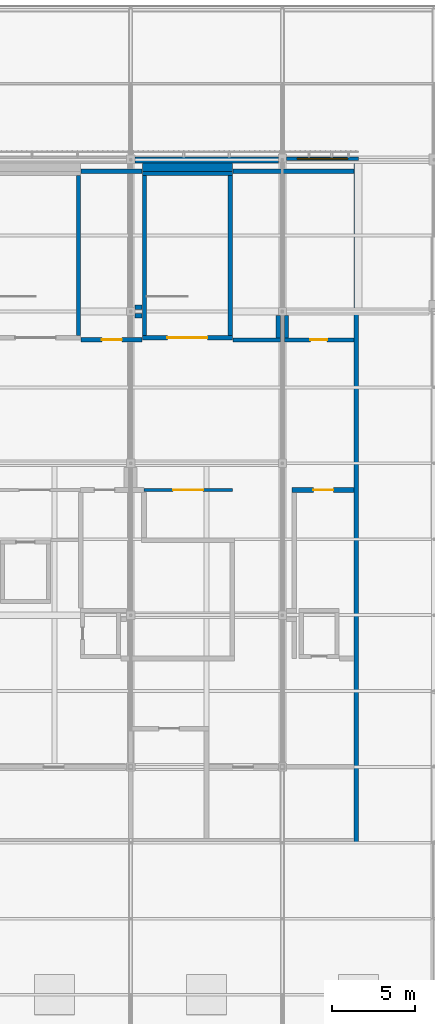
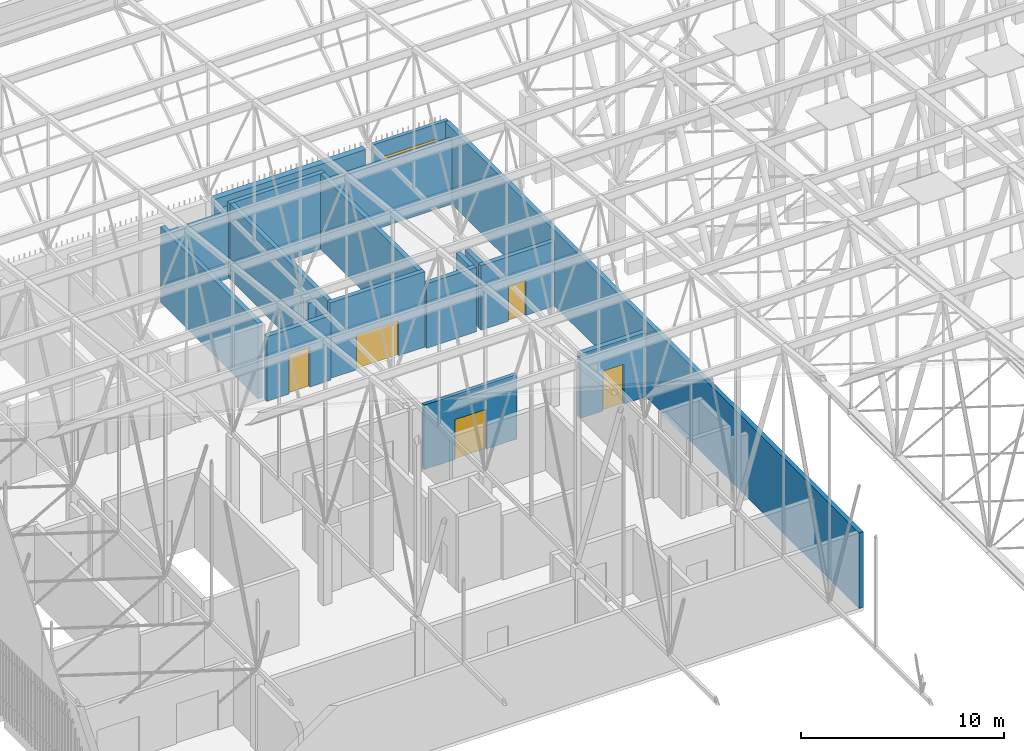
# One storey, part 431 of 500: 20 walls, 5 doors, 1 window, 6 openings.
"""IFC4 building model written with IfcOpenShell, lengths in metres."""

from ifc_helpers import new_model, si_unit, direction, frame, frame_2d, origin, place, context, subcontext, project, spatial, rectangle, extrude, material, layer, layer_set, type_object, element, fill, save


model = new_model("IFC4")

# Units and contexts
model_context = context("Model", 3, precision=1e-05, world=origin(), true_north=direction((0.0, 1.0)))
body_context = subcontext(model_context, "Body", "Model", "MODEL_VIEW")
ifc_project = project(units=[si_unit("LENGTHUNIT", "METRE"), si_unit("AREAUNIT", "SQUARE_METRE"), si_unit("VOLUMEUNIT", "CUBIC_METRE"), si_unit("PLANEANGLEUNIT", "RADIAN"), si_unit("MASSUNIT", "GRAM", prefix="KILO")], contexts=[model_context])

# Site, building, storey
site_placement = place(None, origin())
site = spatial("IfcSite", under=ifc_project, at=site_placement, CompositionType="ELEMENT")
building_placement = place(site_placement, origin())
building = spatial("IfcBuilding", under=site, at=building_placement, Name="Shirokan Park Arena", CompositionType="ELEMENT")
storey_placement = place(building_placement, frame((0.0, 0.0, 29.1201171875)))
storey = spatial("IfcBuildingStorey", under=building, at=storey_placement, Name="L06", CompositionType="ELEMENT", Elevation=29.1201171875)

# Walls
ifc_material_1 = material(Name="Plaster")
ifc_layer_1 = layer(ifc_material_1, 0.014892578125, Name="Plaster")
ifc_material_2 = material(Name="Concrete blockwork", Category="masonry")
ifc_layer_2 = layer(ifc_material_2, 0.219970703125, Name="Concrete blockwork 220")
ifc_layer_3 = layer(ifc_material_1, 0.014892578125, Name="Plaster")
ifc_layer_set_1 = layer_set([ifc_layer_1, ifc_layer_2, ifc_layer_3], Name="Plaster + Concrete blockwork 220")
wall_type_1 = type_object("IfcWallType", Name="Compartment wall 250", PredefinedType="SOLIDWALL", material=ifc_layer_set_1)
wall_1_placement = place(storey_placement, frame((33.429931640625, 98.39990234375, 0.0), z_axis=(0.0, 0.0, 1.0), x_axis=(1.0, 0.0, 0.0)))
element("IfcWall", 1, at=wall_1_placement, inside=storey, type_object=wall_type_1, Name="Compartment wall 250 L06", PredefinedType="SOLIDWALL", context=body_context, shape_type="SweptSolid", body=[
    extrude(rectangle(XDim=2.844970703125, YDim=0.25, at=frame_2d((1.42236328125, 0.0))), origin(), (0.0, 0.0, 1.0), 3.8798828125),
])
wall_2_placement = place(storey_placement, frame((33.429931640625, 108.5, 0.0), z_axis=(0.0, 0.0, 1.0), x_axis=(1.0, 0.0, 0.0)))
element("IfcWall", 2, at=wall_2_placement, inside=storey, type_object=wall_type_1, Name="Compartment wall 250 L06", PredefinedType="SOLIDWALL", context=body_context, shape_type="SweptSolid", body=[
    extrude(rectangle(XDim=7.27001953125, YDim=0.25, at=frame_2d((3.635009765625, 0.0))), origin(), (0.0, 0.0, 1.0), 3.8798828125),
])
wall_3_placement = place(storey_placement, frame((36.14990234375, 98.52490234375, 0.0), z_axis=(0.0, 0.0, 1.0), x_axis=(0.0, 1.0, 0.0)))
element("IfcWall", 3, at=wall_3_placement, inside=storey, type_object=wall_type_1, Name="Compartment wall 250 L06", PredefinedType="SOLIDWALL", context=body_context, shape_type="SweptSolid", body=[
    extrude(rectangle(XDim=1.3251953125, YDim=0.25, at=frame_2d((0.66259765625, 0.0))), origin(), (0.0, 0.0, 1.0), 3.8798828125),
])

# Wall, opening, door
wall_4_placement = place(storey_placement, frame((36.52490234375, 98.39990234375, 0.0), z_axis=(0.0, 0.0, 1.0), x_axis=(1.0, 0.0, 0.0)))
wall_4 = element("IfcWall", 4, at=wall_4_placement, inside=storey, type_object=wall_type_1, Name="Compartment wall 250 L06", PredefinedType="SOLIDWALL", context=body_context, shape_type="SweptSolid", body=[
    extrude(rectangle(XDim=4.175048828125, YDim=0.25, at=frame_2d((2.08740234375, 0.0))), origin(), (0.0, 0.0, 1.0), 3.8798828125),
])
opening_1_placement = place(wall_4_placement, frame((1.550048828125, 0.0, 0.0)))
opening_1 = element("IfcOpeningElement", 5, at=opening_1_placement, cuts=wall_4, Name="Opening D-6038", PredefinedType="OPENING", context=body_context, shape_type="SweptSolid", body=[
    extrude(rectangle(XDim=1.0, YDim=2.10009765625, at=frame_2d((0.5, 1.050048828125))), frame((0.0, 0.135009765625, 0.0), z_axis=(0.0, -1.0, 0.0), x_axis=(1.0, 0.0, 0.0)), (0.0, 0.0, 1.0), 0.27001953125),
])
ifc_material_3 = material(Name="Timber door set, fire resisting", Category="wood")
door_type_1 = type_object("IfcDoorType", Name="Door 1000 x 2100", OperationType="SINGLE_SWING_LEFT", PredefinedType="DOOR", material=ifc_material_3)
door_1_placement = place(opening_1_placement, origin())
door_1 = element("IfcDoor", 6, at=door_1_placement, inside=storey, type_object=door_type_1, Name="Door to Maintenance Equipment Store 6.43 D-6038", OperationType="SINGLE_SWING_RIGHT", OverallHeight=2.10009765625, OverallWidth=1.0, PredefinedType="DOOR", context=body_context, shape_type="SweptSolid", body=[
    extrude(rectangle(XDim=1.0, YDim=2.10009765625, at=frame_2d((0.5, 1.050048828125))), frame((0.0, 0.02490234375, 0.0), z_axis=(0.0, -1.0, 0.0), x_axis=(1.0, 0.0, 0.0)), (0.0, 0.0, 1.0), 0.050048828125),
])
fill(opening_1, door_1)

# Wall
wall_5_placement = place(storey_placement, frame((36.64990234375, 99.85009765625, 0.0), z_axis=(0.0, 0.0, 1.0), x_axis=(0.0, -1.0, 0.0)))
element("IfcWall", 7, at=wall_5_placement, inside=storey, type_object=wall_type_1, Name="Compartment wall 250 L06", PredefinedType="SOLIDWALL", context=body_context, shape_type="SweptSolid", body=[
    extrude(rectangle(XDim=1.3251953125, YDim=0.25, at=frame_2d((0.66259765625, 0.0))), origin(), (0.0, 0.0, 1.0), 3.8798828125),
])

# Wall, opening, door
ifc_material_4 = material(Name="Gypsum board")
ifc_layer_4 = layer(ifc_material_4, 0.02490234375, Name="Gypsum board, two layers")
ifc_material_5 = material(Name="Mineral wool insulation")
ifc_layer_5 = layer(ifc_material_5, 0.14990234375, Name="Mineral wool insulation")
ifc_layer_6 = layer(ifc_material_4, 0.02490234375, Name="Gypsum board, two layers")
ifc_layer_set_2 = layer_set([ifc_layer_4, ifc_layer_5, ifc_layer_6], Name="Gypsum board, two layers + Mineral wool insulation")
wall_type_2 = type_object("IfcWallType", Name="Corridor wall 200", PredefinedType="PARTITIONING", material=ifc_layer_set_2)
wall_6_placement = place(storey_placement, frame((33.39990234375, 89.39990234375, 0.0), z_axis=(0.0, 0.0, 1.0), x_axis=(-1.0, 0.0, 0.0)))
wall_6 = element("IfcWall", 8, at=wall_6_placement, inside=storey, type_object=wall_type_2, Name="Corridor wall 200 L06", PredefinedType="PARTITIONING", context=body_context, shape_type="SweptSolid", body=[
    extrude(rectangle(XDim=5.2998046875, YDim=0.199951171875, at=frame_2d((2.64990234375, 0.0))), origin(), (0.0, 0.0, 1.0), 3.8798828125),
])
opening_2_placement = place(wall_6_placement, frame((1.75, 0.0, 0.0)))
opening_2 = element("IfcOpeningElement", 9, at=opening_2_placement, cuts=wall_6, Name="Opening D-6058", PredefinedType="OPENING", context=body_context, shape_type="SweptSolid", body=[
    extrude(rectangle(XDim=1.800048828125, YDim=2.39990234375, at=frame_2d((0.89990234375, 1.199951171875))), frame((0.0, 0.10986328125, 0.0), z_axis=(0.0, -1.0, 0.0), x_axis=(1.0, 0.0, 0.0)), (0.0, 0.0, 1.0), 0.219970703125),
])
ifc_material_6 = material(Name="Glazed steel door set, fire resisting", Category="steel")
door_type_2 = type_object("IfcDoorType", Name="Lift lobby door 1800 x 2400", OperationType="DOUBLE_DOOR_SINGLE_SWING", PredefinedType="DOOR", material=ifc_material_6)
door_2_placement = place(opening_2_placement, origin())
door_2 = element("IfcDoor", 10, at=door_2_placement, inside=storey, type_object=door_type_2, Name="Door between Plant Gallery 4.6.1 and Lift Lobby 4.6 D-6058", OperationType="DOUBLE_DOOR_SINGLE_SWING", OverallHeight=2.39990234375, OverallWidth=1.800048828125, PredefinedType="DOOR", context=body_context, shape_type="SweptSolid", body=[
    extrude(rectangle(XDim=1.800048828125, YDim=2.39990234375, at=frame_2d((0.89990234375, 1.199951171875))), frame((0.0, 0.02490234375, 0.0), z_axis=(0.0, -1.0, 0.0), x_axis=(1.0, 0.0, 0.0)), (0.0, 0.0, 1.0), 0.050048828125),
])
fill(opening_2, door_2)

# Wall
ifc_material_7 = material(Name="Cedar cladding")
ifc_layer_7 = layer(ifc_material_7, 0.030029296875, Name="Cedar cladding")
ifc_layer_8 = layer(ifc_material_5, 0.10009765625, Name="Mineral wool insulation")
ifc_material_8 = material(Name="Concrete C35", Category="concrete")
ifc_layer_9 = layer(ifc_material_8, 0.199951171875, Name="Concrete C35")
ifc_material_9 = material(Name="Gypsum board lining")
ifc_layer_10 = layer(ifc_material_9, 0.02001953125, Name="Gypsum board lining")
ifc_layer_set_3 = layer_set([ifc_layer_7, ifc_layer_8, ifc_layer_9, ifc_layer_10], Name="Cedar cladding + Mineral wool insulation + Concrete C35 + Gypsum board lining")
wall_type_3 = type_object("IfcWallType", Name="Insulated tower wall 350", PredefinedType="SOLIDWALL", material=ifc_layer_set_3)
wall_7_placement = place(storey_placement, frame((36.14990234375, 109.175048828125, 0.0), z_axis=(0.0, 0.0, 1.0), x_axis=(-1.0, 0.0, 0.0)))
element("IfcWall", 11, at=wall_7_placement, inside=storey, type_object=wall_type_3, Name="North facade wall bay 13 L06", PredefinedType="SOLIDWALL", context=body_context, shape_type="SweptSolid", body=[
    extrude(rectangle(XDim=8.599853515625, YDim=0.35009765625, at=frame_2d((4.2998046875, 0.0))), origin(), (0.0, 0.0, 1.0), 4.5),
])

# Wall, opening, window
ifc_layer_11 = layer(ifc_material_8, 0.14990234375, Name="Concrete C35")
ifc_layer_12 = layer(ifc_material_5, 0.050048828125, Name="Mineral wool insulation")
ifc_layer_set_4 = layer_set([ifc_layer_11, ifc_layer_12], Name="Concrete C35 + Mineral wool insulation")
wall_type_4 = type_object("IfcWallType", Name="Plant gallery wall 200", PredefinedType="SOLIDWALL", material=ifc_layer_set_4)
wall_8_placement = place(storey_placement, frame((40.949951171875, 109.25, 0.0), z_axis=(0.0, 0.0, 1.0), x_axis=(-1.0, 0.0, 0.0)))
wall_8 = element("IfcWall", 12, at=wall_8_placement, inside=storey, type_object=wall_type_4, Name="North facade wall bay 12 L06", PredefinedType="SOLIDWALL", context=body_context, shape_type="SweptSolid", body=[
    extrude(rectangle(XDim=4.300048828125, YDim=0.199951171875, at=frame_2d((2.14990234375, 0.0))), origin(), (0.0, 0.0, 1.0), 4.5),
])
opening_3_placement = place(wall_8_placement, frame((0.64990234375, 0.0, 0.60009765625)))
opening_3 = element("IfcOpeningElement", 13, at=opening_3_placement, cuts=wall_8, Name="Opening W2", PredefinedType="OPENING", context=body_context, shape_type="SweptSolid", body=[
    extrude(rectangle(XDim=3.0, YDim=3.0, at=frame_2d((1.5, 1.5))), frame((0.0, 0.10986328125, 0.0), z_axis=(0.0, -1.0, 0.0), x_axis=(1.0, 0.0, 0.0)), (0.0, 0.0, 1.0), 0.219970703125),
])
ifc_material_10 = material(Name="Aluminium louvre", Category="aluminium")
window_type = type_object("IfcWindowType", Name="Plant louvre 3000x3000", PartitioningType="DOUBLE_PANEL_VERTICAL", PredefinedType="WINDOW", material=ifc_material_10)
window_placement = place(opening_3_placement, origin())
window = element("IfcWindow", 14, at=window_placement, inside=storey, type_object=window_type, Name="Plant louvre 3000x3000 north bay 12 L06", OverallHeight=3.0, OverallWidth=3.0, PartitioningType="SINGLE_PANEL", PredefinedType="WINDOW", context=body_context, shape_type="SweptSolid", body=[
    extrude(rectangle(XDim=3.0, YDim=3.0, at=frame_2d((1.5, 1.5))), frame((0.0, 0.030029296875, 0.0), z_axis=(0.0, -1.0, 0.0), x_axis=(1.0, 0.0, 0.0)), (0.0, 0.0, 1.0), 0.06005859375),
])
fill(opening_3, window)

# Wall, opening, door
ifc_layer_13 = layer(ifc_material_1, 0.012451171875, Name="Plaster")
ifc_layer_14 = layer(ifc_material_2, 0.25, Name="Concrete blockwork 250")
ifc_layer_15 = layer(ifc_material_1, 0.012451171875, Name="Plaster")
ifc_layer_set_5 = layer_set([ifc_layer_13, ifc_layer_14, ifc_layer_15], Name="Plaster + Concrete blockwork 250")
wall_type_5 = type_object("IfcWallType", Name="Plant room wall 275", PredefinedType="SOLIDWALL", material=ifc_layer_set_5)
wall_9_placement = place(storey_placement, frame((24.330078125, 98.39990234375, 0.0), z_axis=(0.0, 0.0, 1.0), x_axis=(1.0, 0.0, 0.0)))
wall_9 = element("IfcWall", 15, at=wall_9_placement, inside=storey, type_object=wall_type_5, Name="Plant room wall 275 L06", PredefinedType="SOLIDWALL", context=body_context, shape_type="SweptSolid", body=[
    extrude(rectangle(XDim=3.639892578125, YDim=0.27490234375, at=frame_2d((1.81982421875, 0.0))), origin(), (0.0, 0.0, 1.0), 3.8798828125),
])
opening_4_placement = place(wall_9_placement, frame((1.25, 0.0, 0.0)))
opening_4 = element("IfcOpeningElement", 16, at=opening_4_placement, cuts=wall_9, Name="Opening D-6037", PredefinedType="OPENING", context=body_context, shape_type="SweptSolid", body=[
    extrude(rectangle(XDim=1.199951171875, YDim=2.39990234375, at=frame_2d((0.60009765625, 1.199951171875))), frame((0.0, 0.1474609375, 0.0), z_axis=(0.0, -1.0, 0.0), x_axis=(1.0, 0.0, 0.0)), (0.0, 0.0, 1.0), 0.294921875),
])
ifc_material_11 = material(Name="Louvred steel door set, fire resisting", Category="steel")
door_type_3 = type_object("IfcDoorType", Name="Plant room door 1200 x 2400", OperationType="SINGLE_SWING_LEFT", PredefinedType="DOOR", material=ifc_material_11)
door_3_placement = place(opening_4_placement, origin())
door_3 = element("IfcDoor", 17, at=door_3_placement, inside=storey, type_object=door_type_3, Name="Door to Communications Room 6.42 D-6037", OperationType="SINGLE_SWING_LEFT", OverallHeight=2.39990234375, OverallWidth=1.199951171875, PredefinedType="DOOR", context=body_context, shape_type="SweptSolid", body=[
    extrude(rectangle(XDim=1.199951171875, YDim=2.39990234375, at=frame_2d((0.60009765625, 1.199951171875))), frame((0.0, 0.02490234375, 0.0), z_axis=(0.0, -1.0, 0.0), x_axis=(1.0, 0.0, 0.0)), (0.0, 0.0, 1.0), 0.050048828125),
])
fill(opening_4, door_3)

# Walls
wall_10_placement = place(storey_placement, frame((24.330078125, 108.5, 0.0), z_axis=(0.0, 0.0, 1.0), x_axis=(1.0, 0.0, 0.0)))
element("IfcWall", 18, at=wall_10_placement, inside=storey, type_object=wall_type_5, Name="Plant room wall 275 L06", PredefinedType="SOLIDWALL", context=body_context, shape_type="SweptSolid", body=[
    extrude(rectangle(XDim=3.639892578125, YDim=0.27490234375, at=frame_2d((1.81982421875, 0.0))), origin(), (0.0, 0.0, 1.0), 3.8798828125),
])
for number, where, z_axis, x_axis, name in (
    (19, (27.550048828125, 99.85009765625, 0.0), (0.0, 0.0, 1.0), (1.0, 0.0, 0.0), "Plant room wall 275 L06"),
    (20, (27.969970703125, 100.35009765625, 0.0), (0.0, 0.0, 1.0), (-1.0, 0.0, 0.0), "Plant room wall 275 L06"),
):
    element("IfcWall", number, at=place(storey_placement, frame(where, z_axis=z_axis, x_axis=x_axis)), inside=storey, type_object=wall_type_5, Name=name, PredefinedType="SOLIDWALL", context=body_context, shape_type="SweptSolid", body=[
        extrude(rectangle(XDim=0.419921875, YDim=0.27490234375, at=frame_2d((0.2099609375, 0.0))), origin(), (0.0, 0.0, 1.0), 3.8798828125),
    ])

# Wall, opening, door
wall_11_placement = place(storey_placement, frame((40.699951171875, 89.39990234375, 0.0), z_axis=(0.0, 0.0, 1.0), x_axis=(-1.0, 0.0, 0.0)))
wall_11 = element("IfcWall", 21, at=wall_11_placement, inside=storey, type_object=wall_type_5, Name="Plant room wall 275 L06", PredefinedType="SOLIDWALL", context=body_context, shape_type="SweptSolid", body=[
    extrude(rectangle(XDim=3.737548828125, YDim=0.27490234375, at=frame_2d((1.86865234375, 0.0))), origin(), (0.0, 0.0, 1.0), 3.8798828125),
])
opening_5_placement = place(wall_11_placement, frame((1.25, 0.0, 0.0)))
opening_5 = element("IfcOpeningElement", 22, at=opening_5_placement, cuts=wall_11, Name="Opening D-6034", PredefinedType="OPENING", context=body_context, shape_type="SweptSolid", body=[
    extrude(rectangle(XDim=1.199951171875, YDim=2.39990234375, at=frame_2d((0.60009765625, 1.199951171875))), frame((0.0, 0.1474609375, 0.0), z_axis=(0.0, -1.0, 0.0), x_axis=(1.0, 0.0, 0.0)), (0.0, 0.0, 1.0), 0.294921875),
])
door_4_placement = place(opening_5_placement, origin())
door_4 = element("IfcDoor", 23, at=door_4_placement, inside=storey, type_object=door_type_3, Name="Door to Electrical Room 6.49 D-6034", OperationType="SINGLE_SWING_RIGHT", OverallHeight=2.39990234375, OverallWidth=1.199951171875, PredefinedType="DOOR", context=body_context, shape_type="SweptSolid", body=[
    extrude(rectangle(XDim=1.199951171875, YDim=2.39990234375, at=frame_2d((0.60009765625, 1.199951171875))), frame((0.0, 0.02490234375, 0.0), z_axis=(0.0, -1.0, 0.0), x_axis=(1.0, 0.0, 0.0)), (0.0, 0.0, 1.0), 0.050048828125),
])
fill(opening_5, door_4)

# Walls
ifc_layer_16 = layer(ifc_material_8, 0.25)
ifc_layer_set_6 = layer_set([ifc_layer_16], Name="Concrete C35 250 mm")
wall_type_6 = type_object("IfcWallType", Name="RC flank wall 250", PredefinedType="SHEAR", material=ifc_layer_set_6)
wall_12_placement = place(storey_placement, frame((40.824951171875, 68.25, 0.0), z_axis=(0.0, 0.0, 1.0), x_axis=(0.0, 1.0, 0.0)))
element("IfcWall", 24, at=wall_12_placement, inside=storey, type_object=wall_type_6, Name="Flank wall N1 L06", PredefinedType="SHEAR", context=body_context, shape_type="SweptSolid", body=[
    extrude(rectangle(XDim=40.77490234375, YDim=0.25, at=frame_2d((20.387451171875, 0.0))), origin(), (0.0, 0.0, 1.0), 4.5498046875),
])
ifc_material_12 = material(Name="Concrete C40/50", Category="concrete")
ifc_layer_17 = layer(ifc_material_12, 0.25)
ifc_layer_set_7 = layer_set([ifc_layer_17], Name="Concrete C40/50 250 mm")
wall_type_7 = type_object("IfcWallType", Name="RC shear wall 250", PredefinedType="SHEAR", material=ifc_layer_set_7)
wall_13_placement = place(storey_placement, frame((24.175048828125, 108.25, 0.0), z_axis=(0.0, 0.0, 1.0), x_axis=(0.0, -1.0, 0.0)))
element("IfcWall", 25, at=wall_13_placement, inside=storey, type_object=wall_type_7, Name="Shaft wall Exit Stair 4.C E L06", PredefinedType="SHEAR", context=body_context, shape_type="SweptSolid", body=[
    extrude(rectangle(XDim=9.60009765625, YDim=0.25, at=frame_2d((4.800048828125, 0.0))), origin(), (0.0, 0.0, 1.0), 4.5498046875),
])

# Wall, opening, door
wall_14_placement = place(storey_placement, frame((33.39990234375, 98.52490234375, 0.0), z_axis=(0.0, 0.0, 1.0), x_axis=(-1.0, 0.0, 0.0)))
wall_14 = element("IfcWall", 26, at=wall_14_placement, inside=storey, type_object=wall_type_7, Name="Shaft wall Exit Stair 4.D S L06", PredefinedType="SHEAR", context=body_context, shape_type="SweptSolid", body=[
    extrude(rectangle(XDim=5.39990234375, YDim=0.25, at=frame_2d((2.699951171875, 0.0))), origin(), (0.0, 0.0, 1.0), 4.5498046875),
])
opening_6_placement = place(wall_14_placement, frame((1.5, 0.0, 0.0)))
opening_6 = element("IfcOpeningElement", 27, at=opening_6_placement, cuts=wall_14, Name="Opening D-6080", PredefinedType="OPENING", context=body_context, shape_type="SweptSolid", body=[
    extrude(rectangle(XDim=2.39990234375, YDim=2.10009765625, at=frame_2d((1.199951171875, 1.050048828125))), frame((0.0, 0.135009765625, 0.0), z_axis=(0.0, -1.0, 0.0), x_axis=(1.0, 0.0, 0.0)), (0.0, 0.0, 1.0), 0.27001953125),
])
ifc_material_13 = material(Name="Steel door set, fire resisting", Category="steel")
door_type_4 = type_object("IfcDoorType", Name="Stair door 2400 x 2100", OperationType="DOUBLE_DOOR_SINGLE_SWING", PredefinedType="DOOR", material=ifc_material_13)
door_5_placement = place(opening_6_placement, origin())
door_5 = element("IfcDoor", 28, at=door_5_placement, inside=storey, type_object=door_type_4, Name="Stair door Exit Stair 4.D D-6080", OperationType="DOUBLE_DOOR_SINGLE_SWING", OverallHeight=2.10009765625, OverallWidth=2.39990234375, PredefinedType="DOOR", context=body_context, shape_type="SweptSolid", body=[
    extrude(rectangle(XDim=2.39990234375, YDim=2.10009765625, at=frame_2d((1.199951171875, 1.050048828125))), frame((0.0, 0.02490234375, 0.0), z_axis=(0.0, -1.0, 0.0), x_axis=(1.0, 0.0, 0.0)), (0.0, 0.0, 1.0), 0.050048828125),
])
fill(opening_6, door_5)

# Walls
wall_15_placement = place(storey_placement, frame((33.39990234375, 108.375, 0.0), z_axis=(0.0, 0.0, 1.0), x_axis=(-1.0, 0.0, 0.0)))
element("IfcWall", 29, at=wall_15_placement, inside=storey, type_object=wall_type_7, Name="Shaft wall Exit Stair 4.D N L06", PredefinedType="SHEAR", context=body_context, shape_type="SweptSolid", body=[
    extrude(rectangle(XDim=5.39990234375, YDim=0.25, at=frame_2d((2.699951171875, 0.0))), origin(), (0.0, 0.0, 1.0), 4.5498046875),
])
for number, where, z_axis, x_axis, name in (
    (30, (28.125, 108.25, 0.0), (0.0, 0.0, 1.0), (0.0, -1.0, 0.0), "Shaft wall Exit Stair 4.D W L06"),
    (31, (33.27490234375, 108.25, 0.0), (0.0, 0.0, 1.0), (0.0, -1.0, 0.0), "Shaft wall Exit Stair 4.D E L06"),
):
    element("IfcWall", number, at=place(storey_placement, frame(where, z_axis=z_axis, x_axis=x_axis)), inside=storey, type_object=wall_type_7, Name=name, PredefinedType="SHEAR", context=body_context, shape_type="SweptSolid", body=[
        extrude(rectangle(XDim=9.60009765625, YDim=0.25, at=frame_2d((4.800048828125, 0.0))), origin(), (0.0, 0.0, 1.0), 4.5498046875),
    ])
ifc_layer_18 = layer(ifc_material_8, 0.5)
ifc_layer_set_8 = layer_set([ifc_layer_18], Name="Concrete C35 500 mm")
wall_type_8 = type_object("IfcWallType", Name="Shaft infill wall 500", PredefinedType="SOLIDWALL", material=ifc_layer_set_8)
wall_16_placement = place(storey_placement, frame((28.0, 108.75, 0.0), z_axis=(0.0, 0.0, 1.0), x_axis=(1.0, 0.0, 0.0)))
element("IfcWall", 32, at=wall_16_placement, inside=storey, type_object=wall_type_8, Name="Shaft infill wall L06", PredefinedType="SOLIDWALL", context=body_context, shape_type="SweptSolid", body=[
    extrude(rectangle(XDim=5.39990234375, YDim=0.5, at=frame_2d((2.699951171875, 0.0))), origin(), (0.0, 0.0, 1.0), 3.8798828125),
])

save(model, "model.ifc")
